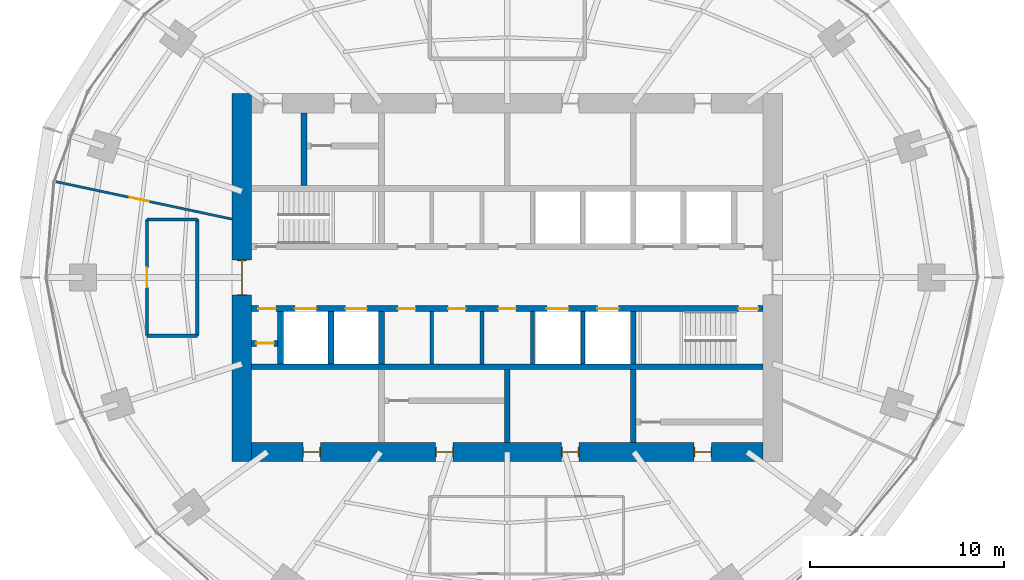
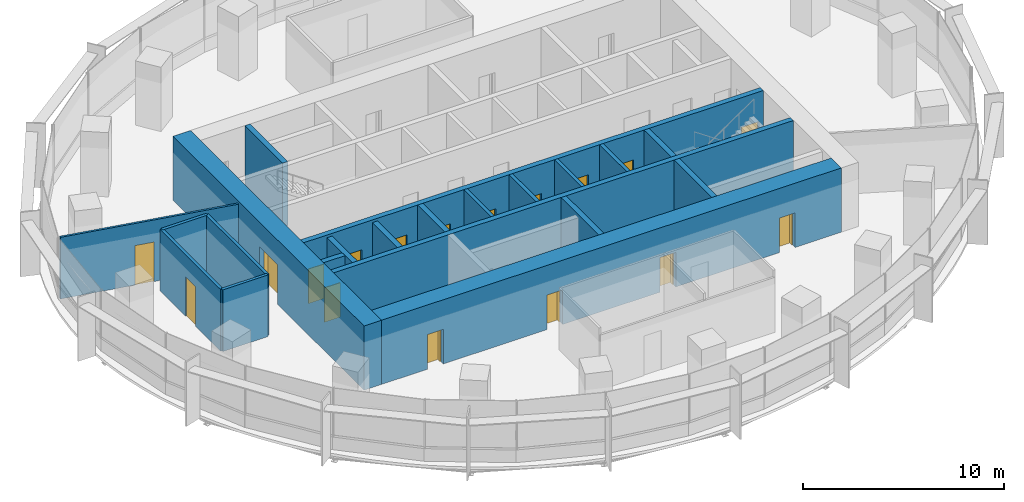
# One storey, part 10 of 14: 21 walls, 17 doors, 17 openings.
"""IFC4 building model written with IfcOpenShell, lengths in metres."""

from ifc_helpers import new_model, si_unit, direction, frame, frame_2d, origin, place, context, subcontext, project, spatial, rectangle, extrude, material, layer, layer_set, type_object, element, fill, save


model = new_model("IFC4")

# Units and contexts
model_context = context("Model", 3, precision=1e-05, world=origin(), true_north=direction((0.0, 1.0)))
body_context = subcontext(model_context, "Body", "Model", "MODEL_VIEW")
ifc_project = project(units=[si_unit("LENGTHUNIT", "METRE"), si_unit("AREAUNIT", "SQUARE_METRE"), si_unit("VOLUMEUNIT", "CUBIC_METRE"), si_unit("PLANEANGLEUNIT", "RADIAN"), si_unit("MASSUNIT", "GRAM", prefix="KILO")], contexts=[model_context])

# Site, building, storey
site_placement = place(None, origin())
site = spatial("IfcSite", under=ifc_project, at=site_placement, CompositionType="ELEMENT")
building_placement = place(site_placement, origin())
building = spatial("IfcBuilding", under=site, at=building_placement, Name="Marramba Exchange Tower", CompositionType="ELEMENT")
storey_placement = place(building_placement, frame((0.0, 0.0, 218.89990234375)))
storey = spatial("IfcBuildingStorey", under=building, at=storey_placement, Name="L53", CompositionType="ELEMENT", Elevation=218.89990234375)

# Walls
ifc_material_1 = material(Name="Plasterboard on staggered double steel studs, acoustic insulation", Category="steel")
ifc_layer_1 = layer(ifc_material_1, 0.169921875)
ifc_layer_set_1 = layer_set([ifc_layer_1], Name="Acoustic partition 170")
wall_type_1 = type_object("IfcWallType", Name="Acoustic partition 170", PredefinedType="PARTITIONING", material=ifc_layer_set_1)
for number, where, z_axis, x_axis, name in (
    (1, (-16.0, -3.0, 0.0), (0.0, 0.0, 1.0), (-1.0, 0.0, 0.0), "Acoustic partition L53 01"),
    (2, (-18.60009765625, 3.0, 0.0), (0.0, 0.0, 1.0), (1.0, 0.0, 0.0), "Acoustic partition L53 13"),
):
    element("IfcWall", number, at=place(storey_placement, frame(where, z_axis=z_axis, x_axis=x_axis)), inside=storey, type_object=wall_type_1, Name=name, PredefinedType="PARTITIONING", context=body_context, shape_type="SweptSolid", body=[
        extrude(rectangle(XDim=2.60009765625, YDim=0.169921875, at=frame_2d((1.300048828125, 0.0))), origin(), (0.0, 0.0, 1.0), 3.739990234375),
    ])

# Wall, opening, door
wall_1_placement = place(storey_placement, frame((-18.60009765625, -3.0, 0.0), z_axis=(0.0, 0.0, 1.0), x_axis=(0.0, 1.0, 0.0)))
wall_1 = element("IfcWall", 3, at=wall_1_placement, inside=storey, type_object=wall_type_1, Name="Acoustic partition L53 14", PredefinedType="PARTITIONING", context=body_context, shape_type="SweptSolid", body=[
    extrude(rectangle(XDim=6.0, YDim=0.169921875, at=frame_2d((3.0, 0.0))), origin(), (0.0, 0.0, 1.0), 3.739990234375),
])
opening_1_placement = place(wall_1_placement, frame((2.5, 0.0, 0.0)))
opening_1 = element("IfcOpeningElement", 4, at=opening_1_placement, cuts=wall_1, Name="Opening D9", PredefinedType="OPENING", context=body_context, shape_type="SweptSolid", body=[
    extrude(rectangle(XDim=1.0, YDim=2.39990234375, at=frame_2d((0.5, 1.199951171875))), frame((0.0, 0.094970703125, 0.0), z_axis=(0.0, -1.0, 0.0), x_axis=(1.0, 0.0, 0.0)), (0.0, 0.0, 1.0), 0.18994140625),
])
ifc_material_2 = material(Name="Timber door", Category="wood")
door_type_1 = type_object("IfcDoorType", Name="Room door 1000x2400", OperationType="SINGLE_SWING_LEFT", PredefinedType="DOOR", material=ifc_material_2)
door_1_placement = place(opening_1_placement, frame((1.0, 0.0, 0.0), z_axis=(0.0, 0.0, 1.0), x_axis=(-1.0, 0.0, 0.0)))
door_1 = element("IfcDoor", 5, at=door_1_placement, inside=storey, type_object=door_type_1, Name="D9 Quiet Room L53", OperationType="SINGLE_SWING_RIGHT", OverallHeight=2.39990234375, OverallWidth=1.0, PredefinedType="DOOR", context=body_context, shape_type="SweptSolid", body=[
    extrude(rectangle(XDim=1.0, YDim=2.39990234375, at=frame_2d((0.5, 1.199951171875))), frame((0.0, 0.025146484375, 0.0), z_axis=(0.0, -1.0, 0.0), x_axis=(1.0, 0.0, 0.0)), (0.0, 0.0, 1.0), 0.050048828125),
])
fill(opening_1, door_1)

# Walls
wall_2_placement = place(storey_placement, frame((-16.0, 3.0, 0.0), z_axis=(0.0, 0.0, 1.0), x_axis=(0.0, -1.0, 0.0)))
element("IfcWall", 6, at=wall_2_placement, inside=storey, type_object=wall_type_1, Name="Acoustic partition L53 15", PredefinedType="PARTITIONING", context=body_context, shape_type="SweptSolid", body=[
    extrude(rectangle(XDim=6.0, YDim=0.169921875, at=frame_2d((3.0, 0.0))), origin(), (0.0, 0.0, 1.0), 3.739990234375),
])
ifc_material_3 = material(Name="Concrete N50", Category="concrete")
ifc_layer_2 = layer(ifc_material_3, 0.199951171875)
ifc_layer_set_2 = layer_set([ifc_layer_2], Name="Core shaft wall 200")
wall_type_2 = type_object("IfcWallType", Name="Core shaft wall 200", PredefinedType="SHEAR", material=ifc_layer_set_2)
for number, where, z_axis, x_axis, name in (
    (7, (-3.89990234375, -1.75, 0.0), (0.0, 0.0, 1.0), (0.0, -1.0, 0.0), "Core wall SHS1 L53"),
    (8, (-1.300048828125, -1.75, 0.0), (0.0, 0.0, 1.0), (0.0, -1.0, 0.0), "Core wall SHS2 L53"),
    (9, (1.300048828125, -1.75, 0.0), (0.0, 0.0, 1.0), (0.0, -1.0, 0.0), "Core wall SHS3 L53"),
    (10, (3.89990234375, -1.75, 0.0), (0.0, 0.0, 1.0), (0.0, -1.0, 0.0), "Core wall SHS4 L53"),
):
    element("IfcWall", number, at=place(storey_placement, frame(where, z_axis=z_axis, x_axis=x_axis)), inside=storey, type_object=wall_type_2, Name=name, PredefinedType="SHEAR", context=body_context, shape_type="SweptSolid", body=[
        extrude(rectangle(XDim=2.699951171875, YDim=0.199951171875, at=frame_2d((1.35009765625, 0.0))), origin(), (0.0, 0.0, 1.0), 3.900146484375),
    ])

# Wall, openings, doors
ifc_layer_3 = layer(ifc_material_3, 1.0)
ifc_layer_set_3 = layer_set([ifc_layer_3], Name="Core wall 1000")
wall_type_3 = type_object("IfcWallType", Name="Core wall 1000", PredefinedType="SHEAR", material=ifc_layer_set_3)
wall_3_placement = place(storey_placement, frame((-13.199951171875, -9.0, 0.0), z_axis=(0.0, 0.0, 1.0), x_axis=(1.0, 0.0, 0.0)))
wall_3 = element("IfcWall", 11, at=wall_3_placement, inside=storey, type_object=wall_type_3, Name="Core wall S L53", PredefinedType="SHEAR", context=body_context, shape_type="SweptSolid", body=[
    extrude(rectangle(XDim=26.39990234375, YDim=1.0, at=frame_2d((13.199951171875, 0.0))), origin(), (0.0, 0.0, 1.0), 3.900146484375),
])
opening_2_placement = place(wall_3_placement, frame((2.64990234375, 0.0, 0.0)))
opening_2 = element("IfcOpeningElement", 12, at=opening_2_placement, cuts=wall_3, Name="Opening D5", PredefinedType="OPENING", context=body_context, shape_type="SweptSolid", body=[
    extrude(rectangle(XDim=0.89990234375, YDim=2.10009765625, at=frame_2d((0.449951171875, 1.050048828125))), frame((0.0, 0.510009765625, 0.0), z_axis=(0.0, -1.0, 0.0), x_axis=(1.0, 0.0, 0.0)), (0.0, 0.0, 1.0), 1.02001953125),
])
opening_3_placement = place(wall_3_placement, frame((9.5, 0.0, 0.0)))
opening_3 = element("IfcOpeningElement", 13, at=opening_3_placement, cuts=wall_3, Name="Opening D5", PredefinedType="OPENING", context=body_context, shape_type="SweptSolid", body=[
    extrude(rectangle(XDim=0.89990234375, YDim=2.10009765625, at=frame_2d((0.449951171875, 1.050048828125))), frame((0.0, 0.510009765625, 0.0), z_axis=(0.0, -1.0, 0.0), x_axis=(1.0, 0.0, 0.0)), (0.0, 0.0, 1.0), 1.02001953125),
])
opening_4_placement = place(wall_3_placement, frame((16.0, 0.0, 0.0)))
opening_4 = element("IfcOpeningElement", 14, at=opening_4_placement, cuts=wall_3, Name="Opening D5", PredefinedType="OPENING", context=body_context, shape_type="SweptSolid", body=[
    extrude(rectangle(XDim=0.89990234375, YDim=2.10009765625, at=frame_2d((0.449951171875, 1.050048828125))), frame((0.0, 0.510009765625, 0.0), z_axis=(0.0, -1.0, 0.0), x_axis=(1.0, 0.0, 0.0)), (0.0, 0.0, 1.0), 1.02001953125),
])
opening_5_placement = place(wall_3_placement, frame((22.85009765625, 0.0, 0.0)))
opening_5 = element("IfcOpeningElement", 15, at=opening_5_placement, cuts=wall_3, Name="Opening D5", PredefinedType="OPENING", context=body_context, shape_type="SweptSolid", body=[
    extrude(rectangle(XDim=0.89990234375, YDim=2.10009765625, at=frame_2d((0.449951171875, 1.050048828125))), frame((0.0, 0.510009765625, 0.0), z_axis=(0.0, -1.0, 0.0), x_axis=(1.0, 0.0, 0.0)), (0.0, 0.0, 1.0), 1.02001953125),
])
ifc_material_4 = material(Name="Steel-framed door", Category="steel")
door_type_2 = type_object("IfcDoorType", Name="Service door 900x2100", OperationType="SINGLE_SWING_LEFT", PredefinedType="DOOR", material=ifc_material_4)
door_2_placement = place(opening_2_placement, origin())
door_2 = element("IfcDoor", 16, at=door_2_placement, inside=storey, type_object=door_type_2, Name="D5 ahu L53", OperationType="SINGLE_SWING_LEFT", OverallHeight=2.10009765625, OverallWidth=0.89990234375, PredefinedType="DOOR", context=body_context, shape_type="SweptSolid", body=[
    extrude(rectangle(XDim=0.81982421875, YDim=2.06005859375, at=frame_2d((0.449951171875, 1.030029296875))), frame((0.0, 0.02490234375, 0.0), z_axis=(0.0, -1.0, 0.0), x_axis=(1.0, 0.0, 0.0)), (0.0, 0.0, 1.0), 0.050048828125),
    extrude(rectangle(XDim=0.04, YDim=2.10009765625, at=frame_2d((0.02001953125, 1.050048828125))), frame((0.0, 0.25, 0.0), z_axis=(0.0, -1.0, 0.0), x_axis=(1.0, 0.0, 0.0)), (0.0, 0.0, 1.0), 0.5),
    extrude(rectangle(XDim=0.04, YDim=2.10009765625, at=frame_2d((0.8798828125, 1.050048828125))), frame((0.0, 0.25, 0.0), z_axis=(0.0, -1.0, 0.0), x_axis=(1.0, 0.0, 0.0)), (0.0, 0.0, 1.0), 0.5),
    extrude(rectangle(XDim=0.81982421875, YDim=0.04, at=frame_2d((0.449951171875, 2.080078125))), frame((0.0, 0.25, 0.0), z_axis=(0.0, -1.0, 0.0), x_axis=(1.0, 0.0, 0.0)), (0.0, 0.0, 1.0), 0.5),
])
fill(opening_2, door_2)
door_3_placement = place(opening_3_placement, origin())
door_3 = element("IfcDoor", 17, at=door_3_placement, inside=storey, type_object=door_type_2, Name="D5 store L53", OperationType="SINGLE_SWING_RIGHT", OverallHeight=2.10009765625, OverallWidth=0.89990234375, PredefinedType="DOOR", context=body_context, shape_type="SweptSolid", body=[
    extrude(rectangle(XDim=0.81982421875, YDim=2.06005859375, at=frame_2d((0.449951171875, 1.030029296875))), frame((0.0, 0.02490234375, 0.0), z_axis=(0.0, -1.0, 0.0), x_axis=(1.0, 0.0, 0.0)), (0.0, 0.0, 1.0), 0.050048828125),
    extrude(rectangle(XDim=0.04, YDim=2.10009765625, at=frame_2d((0.02001953125, 1.050048828125))), frame((0.0, 0.25, 0.0), z_axis=(0.0, -1.0, 0.0), x_axis=(1.0, 0.0, 0.0)), (0.0, 0.0, 1.0), 0.5),
    extrude(rectangle(XDim=0.04, YDim=2.10009765625, at=frame_2d((0.8798828125, 1.050048828125))), frame((0.0, 0.25, 0.0), z_axis=(0.0, -1.0, 0.0), x_axis=(1.0, 0.0, 0.0)), (0.0, 0.0, 1.0), 0.5),
    extrude(rectangle(XDim=0.81982421875, YDim=0.04, at=frame_2d((0.449951171875, 2.080078125))), frame((0.0, 0.25, 0.0), z_axis=(0.0, -1.0, 0.0), x_axis=(1.0, 0.0, 0.0)), (0.0, 0.0, 1.0), 0.5),
])
fill(opening_3, door_3)
door_4_placement = place(opening_4_placement, origin())
door_4 = element("IfcDoor", 18, at=door_4_placement, inside=storey, type_object=door_type_2, Name="D5 switch L53", OperationType="SINGLE_SWING_RIGHT", OverallHeight=2.10009765625, OverallWidth=0.89990234375, PredefinedType="DOOR", context=body_context, shape_type="SweptSolid", body=[
    extrude(rectangle(XDim=0.81982421875, YDim=2.06005859375, at=frame_2d((0.449951171875, 1.030029296875))), frame((0.0, 0.02490234375, 0.0), z_axis=(0.0, -1.0, 0.0), x_axis=(1.0, 0.0, 0.0)), (0.0, 0.0, 1.0), 0.050048828125),
    extrude(rectangle(XDim=0.04, YDim=2.10009765625, at=frame_2d((0.02001953125, 1.050048828125))), frame((0.0, 0.25, 0.0), z_axis=(0.0, -1.0, 0.0), x_axis=(1.0, 0.0, 0.0)), (0.0, 0.0, 1.0), 0.5),
    extrude(rectangle(XDim=0.04, YDim=2.10009765625, at=frame_2d((0.8798828125, 1.050048828125))), frame((0.0, 0.25, 0.0), z_axis=(0.0, -1.0, 0.0), x_axis=(1.0, 0.0, 0.0)), (0.0, 0.0, 1.0), 0.5),
    extrude(rectangle(XDim=0.81982421875, YDim=0.04, at=frame_2d((0.449951171875, 2.080078125))), frame((0.0, 0.25, 0.0), z_axis=(0.0, -1.0, 0.0), x_axis=(1.0, 0.0, 0.0)), (0.0, 0.0, 1.0), 0.5),
])
fill(opening_4, door_4)
door_5_placement = place(opening_5_placement, origin())
door_5 = element("IfcDoor", 19, at=door_5_placement, inside=storey, type_object=door_type_2, Name="D5 cstore L53", OperationType="SINGLE_SWING_RIGHT", OverallHeight=2.10009765625, OverallWidth=0.89990234375, PredefinedType="DOOR", context=body_context, shape_type="SweptSolid", body=[
    extrude(rectangle(XDim=0.81982421875, YDim=2.06005859375, at=frame_2d((0.449951171875, 1.030029296875))), frame((0.0, 0.02490234375, 0.0), z_axis=(0.0, -1.0, 0.0), x_axis=(1.0, 0.0, 0.0)), (0.0, 0.0, 1.0), 0.050048828125),
    extrude(rectangle(XDim=0.04, YDim=2.10009765625, at=frame_2d((0.02001953125, 1.050048828125))), frame((0.0, 0.25, 0.0), z_axis=(0.0, -1.0, 0.0), x_axis=(1.0, 0.0, 0.0)), (0.0, 0.0, 1.0), 0.5),
    extrude(rectangle(XDim=0.04, YDim=2.10009765625, at=frame_2d((0.8798828125, 1.050048828125))), frame((0.0, 0.25, 0.0), z_axis=(0.0, -1.0, 0.0), x_axis=(1.0, 0.0, 0.0)), (0.0, 0.0, 1.0), 0.5),
    extrude(rectangle(XDim=0.81982421875, YDim=0.04, at=frame_2d((0.449951171875, 2.080078125))), frame((0.0, 0.25, 0.0), z_axis=(0.0, -1.0, 0.0), x_axis=(1.0, 0.0, 0.0)), (0.0, 0.0, 1.0), 0.5),
])
fill(opening_5, door_5)

# Wall, opening, door
wall_4_placement = place(storey_placement, frame((-13.699951171875, 9.5, 0.0), z_axis=(0.0, 0.0, 1.0), x_axis=(0.0, -1.0, 0.0)))
wall_4 = element("IfcWall", 20, at=wall_4_placement, inside=storey, type_object=wall_type_3, Name="Core wall W L53", PredefinedType="SHEAR", context=body_context, shape_type="SweptSolid", body=[
    extrude(rectangle(XDim=19.0, YDim=1.0, at=frame_2d((9.5, 0.0))), origin(), (0.0, 0.0, 1.0), 3.900146484375),
])
opening_6_placement = place(wall_4_placement, frame((8.60009765625, 0.0, 0.0)))
opening_6 = element("IfcOpeningElement", 21, at=opening_6_placement, cuts=wall_4, Name="Opening D1", PredefinedType="OPENING", context=body_context, shape_type="SweptSolid", body=[
    extrude(rectangle(XDim=1.800048828125, YDim=2.39990234375, at=frame_2d((0.89990234375, 1.199951171875))), frame((0.0, 0.510009765625, 0.0), z_axis=(0.0, -1.0, 0.0), x_axis=(1.0, 0.0, 0.0)), (0.0, 0.0, 1.0), 1.02001953125),
])
door_type_3 = type_object("IfcDoorType", Name="Lobby exit door 1800x2400", OperationType="DOUBLE_DOOR_SINGLE_SWING", PredefinedType="DOOR", material=ifc_material_4)
door_6_placement = place(opening_6_placement, origin())
door_6 = element("IfcDoor", 22, at=door_6_placement, inside=storey, type_object=door_type_3, Name="D1 lobby exit west L53", OperationType="DOUBLE_DOOR_SINGLE_SWING", OverallHeight=2.39990234375, OverallWidth=1.800048828125, PredefinedType="DOOR", context=body_context, shape_type="SweptSolid", body=[
    extrude(rectangle(XDim=1.719970703125, YDim=2.35986328125, at=frame_2d((0.89990234375, 1.179931640625))), frame((0.0, 0.02490234375, 0.0), z_axis=(0.0, -1.0, 0.0), x_axis=(1.0, 0.0, 0.0)), (0.0, 0.0, 1.0), 0.050048828125),
    extrude(rectangle(XDim=0.04, YDim=2.39990234375, at=frame_2d((0.02001953125, 1.199951171875))), frame((0.0, 0.25, 0.0), z_axis=(0.0, -1.0, 0.0), x_axis=(1.0, 0.0, 0.0)), (0.0, 0.0, 1.0), 0.5),
    extrude(rectangle(XDim=0.04, YDim=2.39990234375, at=frame_2d((1.780029296875, 1.199951171875))), frame((0.0, 0.25, 0.0), z_axis=(0.0, -1.0, 0.0), x_axis=(1.0, 0.0, 0.0)), (0.0, 0.0, 1.0), 0.5),
    extrude(rectangle(XDim=1.719970703125, YDim=0.04, at=frame_2d((0.89990234375, 2.3798828125))), frame((0.0, 0.25, 0.0), z_axis=(0.0, -1.0, 0.0), x_axis=(1.0, 0.0, 0.0)), (0.0, 0.0, 1.0), 0.5),
])
fill(opening_6, door_6)

# Wall, openings, doors
ifc_layer_4 = layer(ifc_material_3, 0.300048828125)
ifc_layer_set_4 = layer_set([ifc_layer_4], Name="Core wall 300")
wall_type_4 = type_object("IfcWallType", Name="Core wall 300", PredefinedType="SHEAR", material=ifc_layer_set_4)
wall_5_placement = place(storey_placement, frame((-13.199951171875, -1.60009765625, 0.0), z_axis=(0.0, 0.0, 1.0), x_axis=(1.0, 0.0, 0.0)))
wall_5 = element("IfcWall", 23, at=wall_5_placement, inside=storey, type_object=wall_type_4, Name="Core wall LS L53", PredefinedType="SHEAR", context=body_context, shape_type="SweptSolid", body=[
    extrude(rectangle(XDim=26.39990234375, YDim=0.300048828125, at=frame_2d((13.199951171875, 0.0))), origin(), (0.0, 0.0, 1.0), 3.900146484375),
])
opening_7_placement = place(wall_5_placement, frame((25.14990234375, 0.0, 0.0)))
opening_7 = element("IfcOpeningElement", 24, at=opening_7_placement, cuts=wall_5, Name="Opening D2", PredefinedType="OPENING", context=body_context, shape_type="SweptSolid", body=[
    extrude(rectangle(XDim=1.0, YDim=2.10009765625, at=frame_2d((0.5, 1.050048828125))), frame((0.0, 0.159912109375, 0.0), z_axis=(0.0, -1.0, 0.0), x_axis=(1.0, 0.0, 0.0)), (0.0, 0.0, 1.0), 0.320068359375),
])
opening_8_placement = place(wall_5_placement, frame((7.550048828125, 0.0, 0.0)))
opening_8 = element("IfcOpeningElement", 25, at=opening_8_placement, cuts=wall_5, Name="Opening D5", PredefinedType="OPENING", context=body_context, shape_type="SweptSolid", body=[
    extrude(rectangle(XDim=0.89990234375, YDim=2.10009765625, at=frame_2d((0.449951171875, 1.050048828125))), frame((0.0, 0.159912109375, 0.0), z_axis=(0.0, -1.0, 0.0), x_axis=(1.0, 0.0, 0.0)), (0.0, 0.0, 1.0), 0.320068359375),
])
opening_9_placement = place(wall_5_placement, frame((10.14990234375, 0.0, 0.0)))
opening_9 = element("IfcOpeningElement", 26, at=opening_9_placement, cuts=wall_5, Name="Opening D5", PredefinedType="OPENING", context=body_context, shape_type="SweptSolid", body=[
    extrude(rectangle(XDim=0.89990234375, YDim=2.10009765625, at=frame_2d((0.449951171875, 1.050048828125))), frame((0.0, 0.159912109375, 0.0), z_axis=(0.0, -1.0, 0.0), x_axis=(1.0, 0.0, 0.0)), (0.0, 0.0, 1.0), 0.320068359375),
])
opening_10_placement = place(wall_5_placement, frame((12.75, 0.0, 0.0)))
opening_10 = element("IfcOpeningElement", 27, at=opening_10_placement, cuts=wall_5, Name="Opening D5", PredefinedType="OPENING", context=body_context, shape_type="SweptSolid", body=[
    extrude(rectangle(XDim=0.89990234375, YDim=2.10009765625, at=frame_2d((0.449951171875, 1.050048828125))), frame((0.0, 0.159912109375, 0.0), z_axis=(0.0, -1.0, 0.0), x_axis=(1.0, 0.0, 0.0)), (0.0, 0.0, 1.0), 0.320068359375),
])
opening_11_placement = place(wall_5_placement, frame((15.25, 0.0, 0.0)))
opening_11 = element("IfcOpeningElement", 28, at=opening_11_placement, cuts=wall_5, Name="Opening LD2", PredefinedType="OPENING", context=body_context, shape_type="SweptSolid", body=[
    extrude(rectangle(XDim=1.10009765625, YDim=2.300048828125, at=frame_2d((0.550048828125, 1.14990234375))), frame((0.0, 0.159912109375, 0.0), z_axis=(0.0, -1.0, 0.0), x_axis=(1.0, 0.0, 0.0)), (0.0, 0.0, 1.0), 0.320068359375),
])
opening_12_placement = place(wall_5_placement, frame((17.85009765625, 0.0, 0.0)))
opening_12 = element("IfcOpeningElement", 29, at=opening_12_placement, cuts=wall_5, Name="Opening LD2", PredefinedType="OPENING", context=body_context, shape_type="SweptSolid", body=[
    extrude(rectangle(XDim=1.10009765625, YDim=2.300048828125, at=frame_2d((0.550048828125, 1.14990234375))), frame((0.0, 0.159912109375, 0.0), z_axis=(0.0, -1.0, 0.0), x_axis=(1.0, 0.0, 0.0)), (0.0, 0.0, 1.0), 0.320068359375),
])
opening_13_placement = place(wall_5_placement, frame((4.85009765625, 0.0, 0.0)))
opening_13 = element("IfcOpeningElement", 30, at=opening_13_placement, cuts=wall_5, Name="Opening LD1", PredefinedType="OPENING", context=body_context, shape_type="SweptSolid", body=[
    extrude(rectangle(XDim=1.10009765625, YDim=2.300048828125, at=frame_2d((0.550048828125, 1.14990234375))), frame((0.0, 0.159912109375, 0.0), z_axis=(0.0, -1.0, 0.0), x_axis=(1.0, 0.0, 0.0)), (0.0, 0.0, 1.0), 0.320068359375),
])
opening_14_placement = place(wall_5_placement, frame((2.25, 0.0, 0.0)))
opening_14 = element("IfcOpeningElement", 31, at=opening_14_placement, cuts=wall_5, Name="Opening LD1", PredefinedType="OPENING", context=body_context, shape_type="SweptSolid", body=[
    extrude(rectangle(XDim=1.10009765625, YDim=2.300048828125, at=frame_2d((0.550048828125, 1.14990234375))), frame((0.0, 0.159912109375, 0.0), z_axis=(0.0, -1.0, 0.0), x_axis=(1.0, 0.0, 0.0)), (0.0, 0.0, 1.0), 0.320068359375),
])
opening_15_placement = place(wall_5_placement, frame((0.35009765625, 0.0, 0.0)))
opening_15 = element("IfcOpeningElement", 32, at=opening_15_placement, cuts=wall_5, Name="Opening D5", PredefinedType="OPENING", context=body_context, shape_type="SweptSolid", body=[
    extrude(rectangle(XDim=0.89990234375, YDim=2.10009765625, at=frame_2d((0.449951171875, 1.050048828125))), frame((0.0, 0.159912109375, 0.0), z_axis=(0.0, -1.0, 0.0), x_axis=(1.0, 0.0, 0.0)), (0.0, 0.0, 1.0), 0.320068359375),
])
door_type_4 = type_object("IfcDoorType", Name="Emergency lift landing door 1100x2300", OperationType="SLIDING_TO_LEFT", PredefinedType="DOOR", material=ifc_material_4)
door_7_placement = place(opening_11_placement, frame((1.10009765625, 0.0, 0.0), z_axis=(0.0, 0.0, 1.0), x_axis=(-1.0, 0.0, 0.0)))
door_7 = element("IfcDoor", 33, at=door_7_placement, inside=storey, type_object=door_type_4, Name="FL1 landing door L53", OperationType="SLIDING_TO_RIGHT", OverallHeight=2.300048828125, OverallWidth=1.10009765625, PredefinedType="DOOR", context=body_context, shape_type="SweptSolid", body=[
    extrude(rectangle(XDim=1.10009765625, YDim=2.300048828125, at=frame_2d((0.550048828125, 1.14990234375))), frame((0.0, 0.025146484375, 0.0), z_axis=(0.0, -1.0, 0.0), x_axis=(1.0, 0.0, 0.0)), (0.0, 0.0, 1.0), 0.050048828125),
])
fill(opening_11, door_7)
door_8_placement = place(opening_12_placement, frame((1.10009765625, 0.0, 0.0), z_axis=(0.0, 0.0, 1.0), x_axis=(-1.0, 0.0, 0.0)))
door_8 = element("IfcDoor", 34, at=door_8_placement, inside=storey, type_object=door_type_4, Name="FL2 landing door L53", OperationType="SLIDING_TO_LEFT", OverallHeight=2.300048828125, OverallWidth=1.10009765625, PredefinedType="DOOR", context=body_context, shape_type="SweptSolid", body=[
    extrude(rectangle(XDim=1.10009765625, YDim=2.300048828125, at=frame_2d((0.550048828125, 1.14990234375))), frame((0.0, 0.025146484375, 0.0), z_axis=(0.0, -1.0, 0.0), x_axis=(1.0, 0.0, 0.0)), (0.0, 0.0, 1.0), 0.050048828125),
])
fill(opening_12, door_8)
door_type_5 = type_object("IfcDoorType", Name="Lift landing door 1100x2300", OperationType="SLIDING_TO_LEFT", PredefinedType="DOOR", material=ifc_material_4)
door_9_placement = place(opening_13_placement, frame((1.10009765625, 0.0, 0.0), z_axis=(0.0, 0.0, 1.0), x_axis=(-1.0, 0.0, 0.0)))
door_9 = element("IfcDoor", 35, at=door_9_placement, inside=storey, type_object=door_type_5, Name="LC1 landing door L53", OperationType="SLIDING_TO_LEFT", OverallHeight=2.300048828125, OverallWidth=1.10009765625, PredefinedType="DOOR", context=body_context, shape_type="SweptSolid", body=[
    extrude(rectangle(XDim=1.10009765625, YDim=2.300048828125, at=frame_2d((0.550048828125, 1.14990234375))), frame((0.0, 0.025146484375, 0.0), z_axis=(0.0, -1.0, 0.0), x_axis=(1.0, 0.0, 0.0)), (0.0, 0.0, 1.0), 0.050048828125),
])
fill(opening_13, door_9)
door_10_placement = place(opening_14_placement, frame((1.10009765625, 0.0, 0.0), z_axis=(0.0, 0.0, 1.0), x_axis=(-1.0, 0.0, 0.0)))
door_10 = element("IfcDoor", 36, at=door_10_placement, inside=storey, type_object=door_type_5, Name="LC2 landing door L53", OperationType="SLIDING_TO_LEFT", OverallHeight=2.300048828125, OverallWidth=1.10009765625, PredefinedType="DOOR", context=body_context, shape_type="SweptSolid", body=[
    extrude(rectangle(XDim=1.10009765625, YDim=2.300048828125, at=frame_2d((0.550048828125, 1.14990234375))), frame((0.0, 0.025146484375, 0.0), z_axis=(0.0, -1.0, 0.0), x_axis=(1.0, 0.0, 0.0)), (0.0, 0.0, 1.0), 0.050048828125),
])
fill(opening_14, door_10)
door_11_placement = place(opening_8_placement, frame((0.89990234375, 0.0, 0.0), z_axis=(0.0, 0.0, 1.0), x_axis=(-1.0, 0.0, 0.0)))
door_11 = element("IfcDoor", 37, at=door_11_placement, inside=storey, type_object=door_type_2, Name="D5 general store L53", OperationType="SINGLE_SWING_RIGHT", OverallHeight=2.10009765625, OverallWidth=0.89990234375, PredefinedType="DOOR", context=body_context, shape_type="SweptSolid", body=[
    extrude(rectangle(XDim=0.89990234375, YDim=2.10009765625, at=frame_2d((0.449951171875, 1.050048828125))), frame((0.0, 0.025146484375, 0.0), z_axis=(0.0, -1.0, 0.0), x_axis=(1.0, 0.0, 0.0)), (0.0, 0.0, 1.0), 0.050048828125),
])
fill(opening_8, door_11)
door_12_placement = place(opening_9_placement, frame((0.89990234375, 0.0, 0.0), z_axis=(0.0, 0.0, 1.0), x_axis=(-1.0, 0.0, 0.0)))
door_12 = element("IfcDoor", 38, at=door_12_placement, inside=storey, type_object=door_type_2, Name="D5 archive store n1 L53", OperationType="SINGLE_SWING_RIGHT", OverallHeight=2.10009765625, OverallWidth=0.89990234375, PredefinedType="DOOR", context=body_context, shape_type="SweptSolid", body=[
    extrude(rectangle(XDim=0.89990234375, YDim=2.10009765625, at=frame_2d((0.449951171875, 1.050048828125))), frame((0.0, 0.025146484375, 0.0), z_axis=(0.0, -1.0, 0.0), x_axis=(1.0, 0.0, 0.0)), (0.0, 0.0, 1.0), 0.050048828125),
])
fill(opening_9, door_12)
door_13_placement = place(opening_10_placement, frame((0.89990234375, 0.0, 0.0), z_axis=(0.0, 0.0, 1.0), x_axis=(-1.0, 0.0, 0.0)))
door_13 = element("IfcDoor", 39, at=door_13_placement, inside=storey, type_object=door_type_2, Name="D5 pantry n2 L53", OperationType="SINGLE_SWING_RIGHT", OverallHeight=2.10009765625, OverallWidth=0.89990234375, PredefinedType="DOOR", context=body_context, shape_type="SweptSolid", body=[
    extrude(rectangle(XDim=0.89990234375, YDim=2.10009765625, at=frame_2d((0.449951171875, 1.050048828125))), frame((0.0, 0.025146484375, 0.0), z_axis=(0.0, -1.0, 0.0), x_axis=(1.0, 0.0, 0.0)), (0.0, 0.0, 1.0), 0.050048828125),
])
fill(opening_10, door_13)
door_14_placement = place(opening_15_placement, frame((0.89990234375, 0.0, 0.0), z_axis=(0.0, 0.0, 1.0), x_axis=(-1.0, 0.0, 0.0)))
door_14 = element("IfcDoor", 40, at=door_14_placement, inside=storey, type_object=door_type_2, Name="D5 electrical riser L53", OperationType="SINGLE_SWING_LEFT", OverallHeight=2.10009765625, OverallWidth=0.89990234375, PredefinedType="DOOR", context=body_context, shape_type="SweptSolid", body=[
    extrude(rectangle(XDim=0.89990234375, YDim=2.10009765625, at=frame_2d((0.449951171875, 1.050048828125))), frame((0.0, 0.025146484375, 0.0), z_axis=(0.0, -1.0, 0.0), x_axis=(1.0, 0.0, 0.0)), (0.0, 0.0, 1.0), 0.050048828125),
])
fill(opening_15, door_14)
door_type_6 = type_object("IfcDoorType", Name="Stair door 1000x2100", OperationType="SINGLE_SWING_LEFT", PredefinedType="DOOR", material=ifc_material_4)
door_15_placement = place(opening_7_placement, frame((1.0, 0.0, 0.0), z_axis=(0.0, 0.0, 1.0), x_axis=(-1.0, 0.0, 0.0)))
door_15 = element("IfcDoor", 41, at=door_15_placement, inside=storey, type_object=door_type_6, Name="D2 stair ST2 L53", OperationType="SINGLE_SWING_LEFT", OverallHeight=2.10009765625, OverallWidth=1.0, PredefinedType="DOOR", context=body_context, shape_type="SweptSolid", body=[
    extrude(rectangle(XDim=1.0, YDim=2.10009765625, at=frame_2d((0.5, 1.050048828125))), frame((0.0, 0.025146484375, 0.0), z_axis=(0.0, -1.0, 0.0), x_axis=(1.0, 0.0, 0.0)), (0.0, 0.0, 1.0), 0.050048828125),
])
fill(opening_7, door_15)

# Walls
wall_6_placement = place(storey_placement, frame((-13.199951171875, -4.60009765625, 0.0), z_axis=(0.0, 0.0, 1.0), x_axis=(1.0, 0.0, 0.0)))
element("IfcWall", 42, at=wall_6_placement, inside=storey, type_object=wall_type_4, Name="Core wall BS L53", PredefinedType="SHEAR", context=body_context, shape_type="SweptSolid", body=[
    extrude(rectangle(XDim=26.39990234375, YDim=0.300048828125, at=frame_2d((13.199951171875, 0.0))), origin(), (0.0, 0.0, 1.0), 3.900146484375),
])
for number, where, z_axis, x_axis, name in (
    (43, (-6.5, -1.75, 0.0), (0.0, 0.0, 1.0), (0.0, -1.0, 0.0), "Core wall X0Sa L53"),
    (44, (6.5, -1.75, 0.0), (0.0, 0.0, 1.0), (0.0, -1.0, 0.0), "Core wall X1Sa L53"),
):
    element("IfcWall", number, at=place(storey_placement, frame(where, z_axis=z_axis, x_axis=x_axis)), inside=storey, type_object=wall_type_4, Name=name, PredefinedType="SHEAR", context=body_context, shape_type="SweptSolid", body=[
        extrude(rectangle(XDim=2.699951171875, YDim=0.300048828125, at=frame_2d((1.35009765625, 0.0))), origin(), (0.0, 0.0, 1.0), 3.900146484375),
    ])
for number, where, z_axis, x_axis, name in (
    (45, (6.5, -4.75, 0.0), (0.0, 0.0, 1.0), (0.0, -1.0, 0.0), "Core wall X1Sb L53"),
    (46, (0.0, -4.75, 0.0), (0.0, 0.0, 1.0), (0.0, -1.0, 0.0), "Core wall MS L53"),
    (47, (-10.5, 4.75, 0.0), (0.0, 0.0, 1.0), (0.0, 1.0, 0.0), "Core wall WD L53"),
):
    element("IfcWall", number, at=place(storey_placement, frame(where, z_axis=z_axis, x_axis=x_axis)), inside=storey, type_object=wall_type_4, Name=name, PredefinedType="SHEAR", context=body_context, shape_type="SweptSolid", body=[
        extrude(rectangle(XDim=3.75, YDim=0.300048828125, at=frame_2d((1.875, 0.0))), origin(), (0.0, 0.0, 1.0), 3.900146484375),
    ])
ifc_material_5 = material(Name="Core-filled concrete blockwork", Category="masonry")
ifc_layer_5 = layer(ifc_material_5, 0.300048828125)
ifc_layer_set_5 = layer_set([ifc_layer_5], Name="Lift shaft wall 300")
wall_type_5 = type_object("IfcWallType", Name="Lift shaft wall 300", PredefinedType="SOLIDWALL", material=ifc_layer_set_5)
for number, where, z_axis, x_axis, name in (
    (48, (-9.10009765625, -1.75, 0.0), (0.0, 0.0, 1.0), (0.0, -1.0, 0.0), "Lift shaft wall W1 L53"),
    (49, (-11.699951171875, -1.75, 0.0), (0.0, 0.0, 1.0), (0.0, -1.0, 0.0), "Lift shaft wall W2 L53"),
):
    element("IfcWall", number, at=place(storey_placement, frame(where, z_axis=z_axis, x_axis=x_axis)), inside=storey, type_object=wall_type_5, Name=name, PredefinedType="SOLIDWALL", context=body_context, shape_type="SweptSolid", body=[
        extrude(rectangle(XDim=2.699951171875, YDim=0.300048828125, at=frame_2d((1.35009765625, 0.0))), origin(), (0.0, 0.0, 1.0), 3.739990234375),
    ])

# Wall, opening, door
ifc_material_6 = material(Name="Plasterboard on steel studs", Category="steel")
ifc_layer_6 = layer(ifc_material_6, 0.1201171875)
ifc_layer_set_6 = layer_set([ifc_layer_6], Name="Partition 120")
wall_type_6 = type_object("IfcWallType", Name="Partition 120", PredefinedType="PARTITIONING", material=ifc_layer_set_6)
wall_7_placement = place(storey_placement, frame((-14.199951171875, 3.018310546875, 0.0), z_axis=(0.0, 0.0, 1.0), x_axis=(-0.978146067863, 0.207918902279, 0.0)))
wall_7 = element("IfcWall", 50, at=wall_7_placement, inside=storey, type_object=wall_type_6, Name="Partition L53 12", PredefinedType="PARTITIONING", context=body_context, shape_type="SweptSolid", body=[
    extrude(rectangle(XDim=9.32080078125, YDim=0.1201171875, at=frame_2d((4.660400390625, 0.0))), origin(), (0.0, 0.0, 1.0), 3.739990234375),
])
opening_16_placement = place(wall_7_placement, frame((4.410888671875, 0.0, 0.0)))
opening_16 = element("IfcOpeningElement", 51, at=opening_16_placement, cuts=wall_7, Name="Opening D9", PredefinedType="OPENING", context=body_context, shape_type="SweptSolid", body=[
    extrude(rectangle(XDim=1.0, YDim=2.39990234375, at=frame_2d((0.5, 1.199951171875))), frame((0.0, 0.070068359375, 0.0), z_axis=(0.0, -1.0, 0.0), x_axis=(1.0, 0.0, 0.0)), (0.0, 0.0, 1.0), 0.14013671875),
])
door_16_placement = place(opening_16_placement, origin())
door_16 = element("IfcDoor", 52, at=door_16_placement, inside=storey, type_object=door_type_1, Name="D9 Research Analyst Office L53", OperationType="SINGLE_SWING_RIGHT", OverallHeight=2.39990234375, OverallWidth=1.0, PredefinedType="DOOR", context=body_context, shape_type="SweptSolid", body=[
    extrude(rectangle(XDim=1.0, YDim=2.39990234375, at=frame_2d((0.5, 1.199951171875))), frame((0.0, 0.02490234375, 0.0), z_axis=(0.0, -1.0, 0.0), x_axis=(1.0, 0.0, 0.0)), (0.0, 0.0, 1.0), 0.050048828125),
])
fill(opening_16, door_16)

ifc_layer_7 = layer(ifc_material_5, 0.300048828125)
ifc_layer_set_7 = layer_set([ifc_layer_7], Name="Riser enclosure wall 300")
wall_type_7 = type_object("IfcWallType", Name="Riser enclosure wall 300", PredefinedType="SOLIDWALL", material=ifc_layer_set_7)
wall_8_placement = place(storey_placement, frame((-13.199951171875, -3.39990234375, 0.0), z_axis=(0.0, 0.0, 1.0), x_axis=(1.0, 0.0, 0.0)))
wall_8 = element("IfcWall", 53, at=wall_8_placement, inside=storey, type_object=wall_type_7, Name="Riser enclosure wall L53", PredefinedType="SOLIDWALL", context=body_context, shape_type="SweptSolid", body=[
    extrude(rectangle(XDim=1.349853515625, YDim=0.300048828125, at=frame_2d((0.6748046875, 0.0))), origin(), (0.0, 0.0, 1.0), 3.739990234375),
])
opening_17_placement = place(wall_8_placement, frame((0.25, 0.0, 0.0)))
opening_17 = element("IfcOpeningElement", 54, at=opening_17_placement, cuts=wall_8, Name="Opening D5", PredefinedType="OPENING", context=body_context, shape_type="SweptSolid", body=[
    extrude(rectangle(XDim=0.89990234375, YDim=2.10009765625, at=frame_2d((0.449951171875, 1.050048828125))), frame((0.0, 0.159912109375, 0.0), z_axis=(0.0, -1.0, 0.0), x_axis=(1.0, 0.0, 0.0)), (0.0, 0.0, 1.0), 0.320068359375),
])
door_17_placement = place(opening_17_placement, frame((0.89990234375, 0.0, 0.0), z_axis=(0.0, 0.0, 1.0), x_axis=(-1.0, 0.0, 0.0)))
door_17 = element("IfcDoor", 55, at=door_17_placement, inside=storey, type_object=door_type_2, Name="D5 electrical riser back L53", OperationType="SINGLE_SWING_LEFT", OverallHeight=2.10009765625, OverallWidth=0.89990234375, PredefinedType="DOOR", context=body_context, shape_type="SweptSolid", body=[
    extrude(rectangle(XDim=0.89990234375, YDim=2.10009765625, at=frame_2d((0.449951171875, 1.050048828125))), frame((0.0, 0.025146484375, 0.0), z_axis=(0.0, -1.0, 0.0), x_axis=(1.0, 0.0, 0.0)), (0.0, 0.0, 1.0), 0.050048828125),
])
fill(opening_17, door_17)

save(model, "model.ifc")
